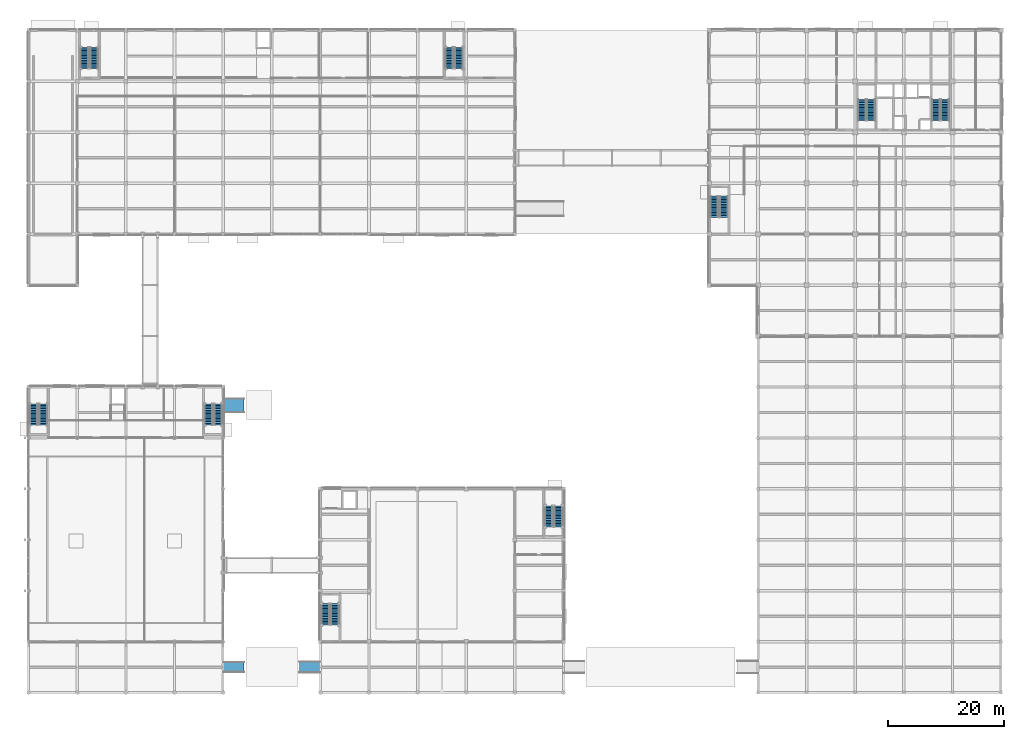
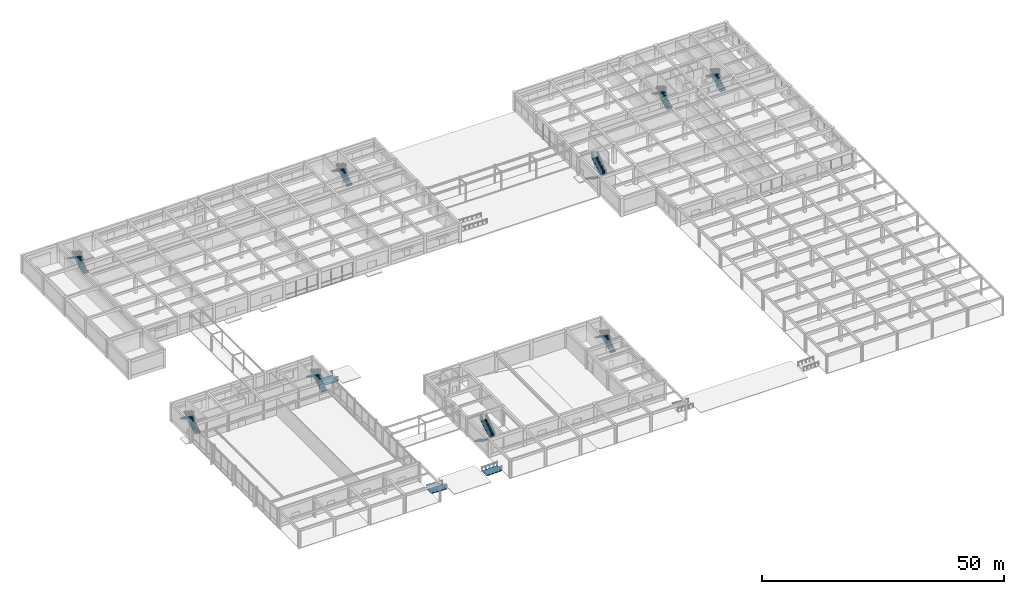
# One storey, part 40 of 58: 18 stair flights, 3 ramp flights, 12 elements without a shape of their own.
"""IFC4 building model written with IfcOpenShell, lengths in metres."""

from ifc_helpers import new_model, si_unit, direction, frame, origin, place, context, subcontext, project, spatial, polyline, outline, extrude, material, layer, layer_set, type_object, element, aggregate, save


model = new_model("IFC4")

# Units and contexts
model_context = context("Model", 3, precision=1e-05, world=origin(), true_north=direction((0.0, 1.0)))
body_context = subcontext(model_context, "Body", "Model", "MODEL_VIEW")
ifc_project = project(units=[si_unit("LENGTHUNIT", "METRE"), si_unit("AREAUNIT", "SQUARE_METRE"), si_unit("VOLUMEUNIT", "CUBIC_METRE"), si_unit("PLANEANGLEUNIT", "RADIAN"), si_unit("MASSUNIT", "GRAM", prefix="KILO")], contexts=[model_context])

# Site, building, storey
site_placement = place(None, origin())
site = spatial("IfcSite", under=ifc_project, at=site_placement, CompositionType="ELEMENT")
building_placement = place(site_placement, origin())
building = spatial("IfcBuilding", under=site, at=building_placement, Name="Kemercrest Conservatory and Botanical Centre", CompositionType="ELEMENT")
storey_placement = place(building_placement, origin())
storey = spatial("IfcBuildingStorey", under=building, at=storey_placement, Name="L00", CompositionType="ELEMENT", Elevation=0.0)

# Stair, stair flights
ifc_material_1 = material(Name="Concrete C40/50", Category="concrete")
stair_type_1 = type_object("IfcStairType", Name="ST-140-48", PredefinedType="HALF_TURN_STAIR", material=ifc_material_1)
stair_1_placement = place(storey_placement, origin())
stair_1 = element("IfcStair", 1, at=stair_1_placement, inside=storey, type_object=stair_type_1, Name="L00 Exit stair ST-V1A", PredefinedType="HALF_TURN_STAIR")
stair_flight_type_1 = type_object("IfcStairFlightType", Name="FL-140-48", PredefinedType="STRAIGHT", material=ifc_material_1)
stair_flight_1_placement = place(storey_placement, frame((10.5400390625, 54.239990234375, 0.0), z_axis=(0.0, 0.0, 1.0), x_axis=(0.0, 1.0, 0.0)))
stair_flight_1 = element("IfcStairFlight", 2, at=stair_flight_1_placement, type_object=stair_flight_type_1, Name="ST-V1A flight 1", NumberOfRisers=14, NumberOfTreads=13, PredefinedType="STRAIGHT", RiserHeight=0.171428571, TreadLength=0.28, context=body_context, shape_type="SweptSolid", body=[
    extrude(outline(polyline([(0.0, 0.0), (0.0, 0.17138671875), (0.280029296875, 0.17138671875), (0.280029296875, 0.3427734375), (0.56005859375, 0.3427734375), (0.56005859375, 0.514404296875), (0.840087890625, 0.514404296875), (0.840087890625, 0.685791015625), (1.1201171875, 0.685791015625), (1.1201171875, 0.857177734375), (1.39990234375, 0.857177734375), (1.39990234375, 1.028564453125), (1.679931640625, 1.028564453125), (1.679931640625, 1.199951171875), (1.9599609375, 1.199951171875), (1.9599609375, 1.371337890625), (2.239990234375, 1.371337890625), (2.239990234375, 1.54296875), (2.52001953125, 1.54296875), (2.52001953125, 1.71435546875), (2.800048828125, 1.71435546875), (2.800048828125, 1.8857421875), (3.080078125, 1.8857421875), (3.080078125, 2.05712890625), (3.360107421875, 2.05712890625), (3.360107421875, 2.228515625), (3.639892578125, 2.228515625), (3.639892578125, 2.39990234375), (3.639892578125, 2.052734375), (0.287109375, 0.0), (0.0, 0.0)])), frame((0.0, 0.699951171875, 0.0), z_axis=(0.0, -1.0, 0.0), x_axis=(1.0, 0.0, 0.0)), (0.0, 0.0, 1.0), 1.39990234375),
])
stair_flight_2_placement = place(storey_placement, frame((8.860107421875, 57.8798828125, 2.39990234375), z_axis=(0.0, 0.0, 1.0), x_axis=(0.0, -1.0, 0.0)))
stair_flight_2 = element("IfcStairFlight", 3, at=stair_flight_2_placement, type_object=stair_flight_type_1, Name="ST-V1A flight 2", NumberOfRisers=14, NumberOfTreads=13, PredefinedType="STRAIGHT", RiserHeight=0.171428571, TreadLength=0.28, context=body_context, shape_type="SweptSolid", body=[
    extrude(outline(polyline([(0.0, 0.0), (0.0, 0.17138671875), (0.280029296875, 0.17138671875), (0.280029296875, 0.3427734375), (0.56005859375, 0.3427734375), (0.56005859375, 0.514404296875), (0.840087890625, 0.514404296875), (0.840087890625, 0.685791015625), (1.1201171875, 0.685791015625), (1.1201171875, 0.857177734375), (1.39990234375, 0.857177734375), (1.39990234375, 1.028564453125), (1.679931640625, 1.028564453125), (1.679931640625, 1.199951171875), (1.9599609375, 1.199951171875), (1.9599609375, 1.371337890625), (2.239990234375, 1.371337890625), (2.239990234375, 1.54296875), (2.52001953125, 1.54296875), (2.52001953125, 1.71435546875), (2.800048828125, 1.71435546875), (2.800048828125, 1.8857421875), (3.080078125, 1.8857421875), (3.080078125, 2.05712890625), (3.360107421875, 2.05712890625), (3.360107421875, 2.228515625), (3.639892578125, 2.228515625), (3.639892578125, 2.39990234375), (3.639892578125, 2.052734375), (0.287109375, 0.0), (0.0, 0.0)])), frame((0.0, 0.699951171875, 0.0), z_axis=(0.0, -1.0, 0.0), x_axis=(1.0, 0.0, 0.0)), (0.0, 0.0, 1.0), 1.39990234375),
])
aggregate(stair_1, [stair_flight_1, stair_flight_2])

stair_2_placement = place(storey_placement, origin())
stair_2 = element("IfcStair", 4, at=stair_2_placement, inside=storey, type_object=stair_type_1, Name="L00 Exit stair ST-V1B", PredefinedType="HALF_TURN_STAIR")
stair_flight_3_placement = place(storey_placement, frame((40.739990234375, 54.239990234375, 0.0), z_axis=(0.0, 0.0, 1.0), x_axis=(0.0, 1.0, 0.0)))
stair_flight_3 = element("IfcStairFlight", 5, at=stair_flight_3_placement, type_object=stair_flight_type_1, Name="ST-V1B flight 1", NumberOfRisers=14, NumberOfTreads=13, PredefinedType="STRAIGHT", RiserHeight=0.171428571, TreadLength=0.28, context=body_context, shape_type="SweptSolid", body=[
    extrude(outline(polyline([(0.0, 0.0), (0.0, 0.17138671875), (0.280029296875, 0.17138671875), (0.280029296875, 0.3427734375), (0.56005859375, 0.3427734375), (0.56005859375, 0.514404296875), (0.840087890625, 0.514404296875), (0.840087890625, 0.685791015625), (1.1201171875, 0.685791015625), (1.1201171875, 0.857177734375), (1.39990234375, 0.857177734375), (1.39990234375, 1.028564453125), (1.679931640625, 1.028564453125), (1.679931640625, 1.199951171875), (1.9599609375, 1.199951171875), (1.9599609375, 1.371337890625), (2.239990234375, 1.371337890625), (2.239990234375, 1.54296875), (2.52001953125, 1.54296875), (2.52001953125, 1.71435546875), (2.800048828125, 1.71435546875), (2.800048828125, 1.8857421875), (3.080078125, 1.8857421875), (3.080078125, 2.05712890625), (3.360107421875, 2.05712890625), (3.360107421875, 2.228515625), (3.639892578125, 2.228515625), (3.639892578125, 2.39990234375), (3.639892578125, 2.052734375), (0.287109375, 0.0), (0.0, 0.0)])), frame((0.0, 0.699951171875, 0.0), z_axis=(0.0, -1.0, 0.0), x_axis=(1.0, 0.0, 0.0)), (0.0, 0.0, 1.0), 1.39990234375),
])
stair_flight_4_placement = place(storey_placement, frame((39.06005859375, 57.8798828125, 2.39990234375), z_axis=(0.0, 0.0, 1.0), x_axis=(0.0, -1.0, 0.0)))
stair_flight_4 = element("IfcStairFlight", 6, at=stair_flight_4_placement, type_object=stair_flight_type_1, Name="ST-V1B flight 2", NumberOfRisers=14, NumberOfTreads=13, PredefinedType="STRAIGHT", RiserHeight=0.171428571, TreadLength=0.28, context=body_context, shape_type="SweptSolid", body=[
    extrude(outline(polyline([(0.0, 0.0), (0.0, 0.17138671875), (0.280029296875, 0.17138671875), (0.280029296875, 0.3427734375), (0.56005859375, 0.3427734375), (0.56005859375, 0.514404296875), (0.840087890625, 0.514404296875), (0.840087890625, 0.685791015625), (1.1201171875, 0.685791015625), (1.1201171875, 0.857177734375), (1.39990234375, 0.857177734375), (1.39990234375, 1.028564453125), (1.679931640625, 1.028564453125), (1.679931640625, 1.199951171875), (1.9599609375, 1.199951171875), (1.9599609375, 1.371337890625), (2.239990234375, 1.371337890625), (2.239990234375, 1.54296875), (2.52001953125, 1.54296875), (2.52001953125, 1.71435546875), (2.800048828125, 1.71435546875), (2.800048828125, 1.8857421875), (3.080078125, 1.8857421875), (3.080078125, 2.05712890625), (3.360107421875, 2.05712890625), (3.360107421875, 2.228515625), (3.639892578125, 2.228515625), (3.639892578125, 2.39990234375), (3.639892578125, 2.052734375), (0.287109375, 0.0), (0.0, 0.0)])), frame((0.0, 0.699951171875, 0.0), z_axis=(0.0, -1.0, 0.0), x_axis=(1.0, 0.0, 0.0)), (0.0, 0.0, 1.0), 1.39990234375),
])
aggregate(stair_2, [stair_flight_3, stair_flight_4])

stair_3_placement = place(storey_placement, origin())
stair_3 = element("IfcStair", 7, at=stair_3_placement, inside=storey, type_object=stair_type_1, Name="L00 Exit stair ST-V2A", PredefinedType="HALF_TURN_STAIR")
stair_flight_5_placement = place(storey_placement, frame((59.260009765625, 23.360107421875, 0.0), z_axis=(0.0, 0.0, 1.0), x_axis=(0.0, -1.0, 0.0)))
stair_flight_5 = element("IfcStairFlight", 8, at=stair_flight_5_placement, type_object=stair_flight_type_1, Name="ST-V2A flight 1", NumberOfRisers=14, NumberOfTreads=13, PredefinedType="STRAIGHT", RiserHeight=0.171428571, TreadLength=0.28, context=body_context, shape_type="SweptSolid", body=[
    extrude(outline(polyline([(0.0, 0.0), (0.0, 0.17138671875), (0.280029296875, 0.17138671875), (0.280029296875, 0.3427734375), (0.56005859375, 0.3427734375), (0.56005859375, 0.514404296875), (0.840087890625, 0.514404296875), (0.840087890625, 0.685791015625), (1.1201171875, 0.685791015625), (1.1201171875, 0.857177734375), (1.39990234375, 0.857177734375), (1.39990234375, 1.028564453125), (1.679931640625, 1.028564453125), (1.679931640625, 1.199951171875), (1.9599609375, 1.199951171875), (1.9599609375, 1.371337890625), (2.239990234375, 1.371337890625), (2.239990234375, 1.54296875), (2.52001953125, 1.54296875), (2.52001953125, 1.71435546875), (2.800048828125, 1.71435546875), (2.800048828125, 1.8857421875), (3.080078125, 1.8857421875), (3.080078125, 2.05712890625), (3.360107421875, 2.05712890625), (3.360107421875, 2.228515625), (3.639892578125, 2.228515625), (3.639892578125, 2.39990234375), (3.639892578125, 2.052734375), (0.287109375, 0.0), (0.0, 0.0)])), frame((0.0, 0.699951171875, 0.0), z_axis=(0.0, -1.0, 0.0), x_axis=(1.0, 0.0, 0.0)), (0.0, 0.0, 1.0), 1.39990234375),
])
stair_flight_6_placement = place(storey_placement, frame((60.93994140625, 19.719970703125, 2.39990234375), z_axis=(0.0, 0.0, 1.0), x_axis=(0.0, 1.0, 0.0)))
stair_flight_6 = element("IfcStairFlight", 9, at=stair_flight_6_placement, type_object=stair_flight_type_1, Name="ST-V2A flight 2", NumberOfRisers=14, NumberOfTreads=13, PredefinedType="STRAIGHT", RiserHeight=0.171428571, TreadLength=0.28, context=body_context, shape_type="SweptSolid", body=[
    extrude(outline(polyline([(0.0, 0.0), (0.0, 0.17138671875), (0.280029296875, 0.17138671875), (0.280029296875, 0.3427734375), (0.56005859375, 0.3427734375), (0.56005859375, 0.514404296875), (0.840087890625, 0.514404296875), (0.840087890625, 0.685791015625), (1.1201171875, 0.685791015625), (1.1201171875, 0.857177734375), (1.39990234375, 0.857177734375), (1.39990234375, 1.028564453125), (1.679931640625, 1.028564453125), (1.679931640625, 1.199951171875), (1.9599609375, 1.199951171875), (1.9599609375, 1.371337890625), (2.239990234375, 1.371337890625), (2.239990234375, 1.54296875), (2.52001953125, 1.54296875), (2.52001953125, 1.71435546875), (2.800048828125, 1.71435546875), (2.800048828125, 1.8857421875), (3.080078125, 1.8857421875), (3.080078125, 2.05712890625), (3.360107421875, 2.05712890625), (3.360107421875, 2.228515625), (3.639892578125, 2.228515625), (3.639892578125, 2.39990234375), (3.639892578125, 2.052734375), (0.287109375, 0.0), (0.0, 0.0)])), frame((0.0, 0.699951171875, 0.0), z_axis=(0.0, -1.0, 0.0), x_axis=(1.0, 0.0, 0.0)), (0.0, 0.0, 1.0), 1.39990234375),
])
aggregate(stair_3, [stair_flight_5, stair_flight_6])

stair_4_placement = place(storey_placement, origin())
stair_4 = element("IfcStair", 10, at=stair_4_placement, inside=storey, type_object=stair_type_1, Name="L00 Exit stair ST-V2B", PredefinedType="HALF_TURN_STAIR")
stair_flight_7_placement = place(storey_placement, frame((99.5400390625, 36.639892578125, 0.0), z_axis=(0.0, 0.0, 1.0), x_axis=(0.0, 1.0, 0.0)))
stair_flight_7 = element("IfcStairFlight", 11, at=stair_flight_7_placement, type_object=stair_flight_type_1, Name="ST-V2B flight 1", NumberOfRisers=14, NumberOfTreads=13, PredefinedType="STRAIGHT", RiserHeight=0.171428571, TreadLength=0.28, context=body_context, shape_type="SweptSolid", body=[
    extrude(outline(polyline([(0.0, 0.0), (0.0, 0.17138671875), (0.280029296875, 0.17138671875), (0.280029296875, 0.3427734375), (0.56005859375, 0.3427734375), (0.56005859375, 0.514404296875), (0.840087890625, 0.514404296875), (0.840087890625, 0.685791015625), (1.1201171875, 0.685791015625), (1.1201171875, 0.857177734375), (1.39990234375, 0.857177734375), (1.39990234375, 1.028564453125), (1.679931640625, 1.028564453125), (1.679931640625, 1.199951171875), (1.9599609375, 1.199951171875), (1.9599609375, 1.371337890625), (2.239990234375, 1.371337890625), (2.239990234375, 1.54296875), (2.52001953125, 1.54296875), (2.52001953125, 1.71435546875), (2.800048828125, 1.71435546875), (2.800048828125, 1.8857421875), (3.080078125, 1.8857421875), (3.080078125, 2.05712890625), (3.360107421875, 2.05712890625), (3.360107421875, 2.228515625), (3.639892578125, 2.228515625), (3.639892578125, 2.39990234375), (3.639892578125, 2.052734375), (0.287109375, 0.0), (0.0, 0.0)])), frame((0.0, 0.699951171875, 0.0), z_axis=(0.0, -1.0, 0.0), x_axis=(1.0, 0.0, 0.0)), (0.0, 0.0, 1.0), 1.39990234375),
])
stair_flight_8_placement = place(storey_placement, frame((97.860107421875, 40.280029296875, 2.39990234375), z_axis=(0.0, 0.0, 1.0), x_axis=(0.0, -1.0, 0.0)))
stair_flight_8 = element("IfcStairFlight", 12, at=stair_flight_8_placement, type_object=stair_flight_type_1, Name="ST-V2B flight 2", NumberOfRisers=14, NumberOfTreads=13, PredefinedType="STRAIGHT", RiserHeight=0.171428571, TreadLength=0.28, context=body_context, shape_type="SweptSolid", body=[
    extrude(outline(polyline([(0.0, 0.0), (0.0, 0.17138671875), (0.280029296875, 0.17138671875), (0.280029296875, 0.3427734375), (0.56005859375, 0.3427734375), (0.56005859375, 0.514404296875), (0.840087890625, 0.514404296875), (0.840087890625, 0.685791015625), (1.1201171875, 0.685791015625), (1.1201171875, 0.857177734375), (1.39990234375, 0.857177734375), (1.39990234375, 1.028564453125), (1.679931640625, 1.028564453125), (1.679931640625, 1.199951171875), (1.9599609375, 1.199951171875), (1.9599609375, 1.371337890625), (2.239990234375, 1.371337890625), (2.239990234375, 1.54296875), (2.52001953125, 1.54296875), (2.52001953125, 1.71435546875), (2.800048828125, 1.71435546875), (2.800048828125, 1.8857421875), (3.080078125, 1.8857421875), (3.080078125, 2.05712890625), (3.360107421875, 2.05712890625), (3.360107421875, 2.228515625), (3.639892578125, 2.228515625), (3.639892578125, 2.39990234375), (3.639892578125, 2.052734375), (0.287109375, 0.0), (0.0, 0.0)])), frame((0.0, 0.699951171875, 0.0), z_axis=(0.0, -1.0, 0.0), x_axis=(1.0, 0.0, 0.0)), (0.0, 0.0, 1.0), 1.39990234375),
])
aggregate(stair_4, [stair_flight_7, stair_flight_8])

stair_5_placement = place(storey_placement, origin())
stair_5 = element("IfcStair", 13, at=stair_5_placement, inside=storey, type_object=stair_type_1, Name="L00 Exit stair ST-V3A", PredefinedType="HALF_TURN_STAIR")
stair_flight_9_placement = place(storey_placement, frame((19.340087890625, 115.840087890625, 0.0), z_axis=(0.0, 0.0, 1.0), x_axis=(0.0, 1.0, 0.0)))
stair_flight_9 = element("IfcStairFlight", 14, at=stair_flight_9_placement, type_object=stair_flight_type_1, Name="ST-V3A flight 1", NumberOfRisers=14, NumberOfTreads=13, PredefinedType="STRAIGHT", RiserHeight=0.171428571, TreadLength=0.28, context=body_context, shape_type="SweptSolid", body=[
    extrude(outline(polyline([(0.0, 0.0), (0.0, 0.17138671875), (0.280029296875, 0.17138671875), (0.280029296875, 0.3427734375), (0.56005859375, 0.3427734375), (0.56005859375, 0.514404296875), (0.840087890625, 0.514404296875), (0.840087890625, 0.685791015625), (1.1201171875, 0.685791015625), (1.1201171875, 0.857177734375), (1.39990234375, 0.857177734375), (1.39990234375, 1.028564453125), (1.679931640625, 1.028564453125), (1.679931640625, 1.199951171875), (1.9599609375, 1.199951171875), (1.9599609375, 1.371337890625), (2.239990234375, 1.371337890625), (2.239990234375, 1.54296875), (2.52001953125, 1.54296875), (2.52001953125, 1.71435546875), (2.800048828125, 1.71435546875), (2.800048828125, 1.8857421875), (3.080078125, 1.8857421875), (3.080078125, 2.05712890625), (3.360107421875, 2.05712890625), (3.360107421875, 2.228515625), (3.639892578125, 2.228515625), (3.639892578125, 2.39990234375), (3.639892578125, 2.052734375), (0.287109375, 0.0), (0.0, 0.0)])), frame((0.0, 0.699951171875, 0.0), z_axis=(0.0, -1.0, 0.0), x_axis=(1.0, 0.0, 0.0)), (0.0, 0.0, 1.0), 1.39990234375),
])
stair_flight_10_placement = place(storey_placement, frame((17.659912109375, 119.47998046875, 2.39990234375), z_axis=(0.0, 0.0, 1.0), x_axis=(0.0, -1.0, 0.0)))
stair_flight_10 = element("IfcStairFlight", 15, at=stair_flight_10_placement, type_object=stair_flight_type_1, Name="ST-V3A flight 2", NumberOfRisers=14, NumberOfTreads=13, PredefinedType="STRAIGHT", RiserHeight=0.171428571, TreadLength=0.28, context=body_context, shape_type="SweptSolid", body=[
    extrude(outline(polyline([(0.0, 0.0), (0.0, 0.17138671875), (0.280029296875, 0.17138671875), (0.280029296875, 0.3427734375), (0.56005859375, 0.3427734375), (0.56005859375, 0.514404296875), (0.840087890625, 0.514404296875), (0.840087890625, 0.685791015625), (1.1201171875, 0.685791015625), (1.1201171875, 0.857177734375), (1.39990234375, 0.857177734375), (1.39990234375, 1.028564453125), (1.679931640625, 1.028564453125), (1.679931640625, 1.199951171875), (1.9599609375, 1.199951171875), (1.9599609375, 1.371337890625), (2.239990234375, 1.371337890625), (2.239990234375, 1.54296875), (2.52001953125, 1.54296875), (2.52001953125, 1.71435546875), (2.800048828125, 1.71435546875), (2.800048828125, 1.8857421875), (3.080078125, 1.8857421875), (3.080078125, 2.05712890625), (3.360107421875, 2.05712890625), (3.360107421875, 2.228515625), (3.639892578125, 2.228515625), (3.639892578125, 2.39990234375), (3.639892578125, 2.052734375), (0.287109375, 0.0), (0.0, 0.0)])), frame((0.0, 0.699951171875, 0.0), z_axis=(0.0, -1.0, 0.0), x_axis=(1.0, 0.0, 0.0)), (0.0, 0.0, 1.0), 1.39990234375),
])
aggregate(stair_5, [stair_flight_9, stair_flight_10])

stair_6_placement = place(storey_placement, origin())
stair_6 = element("IfcStair", 16, at=stair_6_placement, inside=storey, type_object=stair_type_1, Name="L00 Exit stair ST-V3B", PredefinedType="HALF_TURN_STAIR")
stair_flight_11_placement = place(storey_placement, frame((82.340087890625, 115.840087890625, 0.0), z_axis=(0.0, 0.0, 1.0), x_axis=(0.0, 1.0, 0.0)))
stair_flight_11 = element("IfcStairFlight", 17, at=stair_flight_11_placement, type_object=stair_flight_type_1, Name="ST-V3B flight 1", NumberOfRisers=14, NumberOfTreads=13, PredefinedType="STRAIGHT", RiserHeight=0.171428571, TreadLength=0.28, context=body_context, shape_type="SweptSolid", body=[
    extrude(outline(polyline([(0.0, 0.0), (0.0, 0.17138671875), (0.280029296875, 0.17138671875), (0.280029296875, 0.3427734375), (0.56005859375, 0.3427734375), (0.56005859375, 0.514404296875), (0.840087890625, 0.514404296875), (0.840087890625, 0.685791015625), (1.1201171875, 0.685791015625), (1.1201171875, 0.857177734375), (1.39990234375, 0.857177734375), (1.39990234375, 1.028564453125), (1.679931640625, 1.028564453125), (1.679931640625, 1.199951171875), (1.9599609375, 1.199951171875), (1.9599609375, 1.371337890625), (2.239990234375, 1.371337890625), (2.239990234375, 1.54296875), (2.52001953125, 1.54296875), (2.52001953125, 1.71435546875), (2.800048828125, 1.71435546875), (2.800048828125, 1.8857421875), (3.080078125, 1.8857421875), (3.080078125, 2.05712890625), (3.360107421875, 2.05712890625), (3.360107421875, 2.228515625), (3.639892578125, 2.228515625), (3.639892578125, 2.39990234375), (3.639892578125, 2.052734375), (0.287109375, 0.0), (0.0, 0.0)])), frame((0.0, 0.699951171875, 0.0), z_axis=(0.0, -1.0, 0.0), x_axis=(1.0, 0.0, 0.0)), (0.0, 0.0, 1.0), 1.39990234375),
])
stair_flight_12_placement = place(storey_placement, frame((80.659912109375, 119.47998046875, 2.39990234375), z_axis=(0.0, 0.0, 1.0), x_axis=(0.0, -1.0, 0.0)))
stair_flight_12 = element("IfcStairFlight", 18, at=stair_flight_12_placement, type_object=stair_flight_type_1, Name="ST-V3B flight 2", NumberOfRisers=14, NumberOfTreads=13, PredefinedType="STRAIGHT", RiserHeight=0.171428571, TreadLength=0.28, context=body_context, shape_type="SweptSolid", body=[
    extrude(outline(polyline([(0.0, 0.0), (0.0, 0.17138671875), (0.280029296875, 0.17138671875), (0.280029296875, 0.3427734375), (0.56005859375, 0.3427734375), (0.56005859375, 0.514404296875), (0.840087890625, 0.514404296875), (0.840087890625, 0.685791015625), (1.1201171875, 0.685791015625), (1.1201171875, 0.857177734375), (1.39990234375, 0.857177734375), (1.39990234375, 1.028564453125), (1.679931640625, 1.028564453125), (1.679931640625, 1.199951171875), (1.9599609375, 1.199951171875), (1.9599609375, 1.371337890625), (2.239990234375, 1.371337890625), (2.239990234375, 1.54296875), (2.52001953125, 1.54296875), (2.52001953125, 1.71435546875), (2.800048828125, 1.71435546875), (2.800048828125, 1.8857421875), (3.080078125, 1.8857421875), (3.080078125, 2.05712890625), (3.360107421875, 2.05712890625), (3.360107421875, 2.228515625), (3.639892578125, 2.228515625), (3.639892578125, 2.39990234375), (3.639892578125, 2.052734375), (0.287109375, 0.0), (0.0, 0.0)])), frame((0.0, 0.699951171875, 0.0), z_axis=(0.0, -1.0, 0.0), x_axis=(1.0, 0.0, 0.0)), (0.0, 0.0, 1.0), 1.39990234375),
])
aggregate(stair_6, [stair_flight_11, stair_flight_12])

stair_7_placement = place(storey_placement, origin())
stair_7 = element("IfcStair", 19, at=stair_7_placement, inside=storey, type_object=stair_type_1, Name="L00 Exit stair ST-V4C", PredefinedType="HALF_TURN_STAIR")
stair_flight_13_placement = place(storey_placement, frame((126.4599609375, 93.760009765625, 0.0), z_axis=(0.0, 0.0, 1.0), x_axis=(0.0, -1.0, 0.0)))
stair_flight_13 = element("IfcStairFlight", 20, at=stair_flight_13_placement, type_object=stair_flight_type_1, Name="ST-V4C flight 1", NumberOfRisers=14, NumberOfTreads=13, PredefinedType="STRAIGHT", RiserHeight=0.171428571, TreadLength=0.28, context=body_context, shape_type="SweptSolid", body=[
    extrude(outline(polyline([(0.0, 0.0), (0.0, 0.17138671875), (0.280029296875, 0.17138671875), (0.280029296875, 0.3427734375), (0.56005859375, 0.3427734375), (0.56005859375, 0.514404296875), (0.840087890625, 0.514404296875), (0.840087890625, 0.685791015625), (1.1201171875, 0.685791015625), (1.1201171875, 0.857177734375), (1.39990234375, 0.857177734375), (1.39990234375, 1.028564453125), (1.679931640625, 1.028564453125), (1.679931640625, 1.199951171875), (1.9599609375, 1.199951171875), (1.9599609375, 1.371337890625), (2.239990234375, 1.371337890625), (2.239990234375, 1.54296875), (2.52001953125, 1.54296875), (2.52001953125, 1.71435546875), (2.800048828125, 1.71435546875), (2.800048828125, 1.8857421875), (3.080078125, 1.8857421875), (3.080078125, 2.05712890625), (3.360107421875, 2.05712890625), (3.360107421875, 2.228515625), (3.639892578125, 2.228515625), (3.639892578125, 2.39990234375), (3.639892578125, 2.052734375), (0.287109375, 0.0), (0.0, 0.0)])), frame((0.0, 0.699951171875, 0.0), z_axis=(0.0, -1.0, 0.0), x_axis=(1.0, 0.0, 0.0)), (0.0, 0.0, 1.0), 1.39990234375),
])
stair_flight_14_placement = place(storey_placement, frame((128.139892578125, 90.1201171875, 2.39990234375), z_axis=(0.0, 0.0, 1.0), x_axis=(0.0, 1.0, 0.0)))
stair_flight_14 = element("IfcStairFlight", 21, at=stair_flight_14_placement, type_object=stair_flight_type_1, Name="ST-V4C flight 2", NumberOfRisers=14, NumberOfTreads=13, PredefinedType="STRAIGHT", RiserHeight=0.171428571, TreadLength=0.28, context=body_context, shape_type="SweptSolid", body=[
    extrude(outline(polyline([(0.0, 0.0), (0.0, 0.17138671875), (0.280029296875, 0.17138671875), (0.280029296875, 0.3427734375), (0.56005859375, 0.3427734375), (0.56005859375, 0.514404296875), (0.840087890625, 0.514404296875), (0.840087890625, 0.685791015625), (1.1201171875, 0.685791015625), (1.1201171875, 0.857177734375), (1.39990234375, 0.857177734375), (1.39990234375, 1.028564453125), (1.679931640625, 1.028564453125), (1.679931640625, 1.199951171875), (1.9599609375, 1.199951171875), (1.9599609375, 1.371337890625), (2.239990234375, 1.371337890625), (2.239990234375, 1.54296875), (2.52001953125, 1.54296875), (2.52001953125, 1.71435546875), (2.800048828125, 1.71435546875), (2.800048828125, 1.8857421875), (3.080078125, 1.8857421875), (3.080078125, 2.05712890625), (3.360107421875, 2.05712890625), (3.360107421875, 2.228515625), (3.639892578125, 2.228515625), (3.639892578125, 2.39990234375), (3.639892578125, 2.052734375), (0.287109375, 0.0), (0.0, 0.0)])), frame((0.0, 0.699951171875, 0.0), z_axis=(0.0, -1.0, 0.0), x_axis=(1.0, 0.0, 0.0)), (0.0, 0.0, 1.0), 1.39990234375),
])
aggregate(stair_7, [stair_flight_13, stair_flight_14])

stair_type_2 = type_object("IfcStairType", Name="ST-142-48", PredefinedType="HALF_TURN_STAIR", material=ifc_material_1)
stair_8_placement = place(storey_placement, origin())
stair_8 = element("IfcStair", 22, at=stair_8_placement, inside=storey, type_object=stair_type_2, Name="L00 Exit stair ST-V4A", PredefinedType="HALF_TURN_STAIR")
stair_flight_type_2 = type_object("IfcStairFlightType", Name="FL-142-48", PredefinedType="STRAIGHT", material=ifc_material_1)
stair_flight_15_placement = place(storey_placement, frame((153.530029296875, 106.840087890625, 0.0), z_axis=(0.0, 0.0, 1.0), x_axis=(0.0, 1.0, 0.0)))
stair_flight_15 = element("IfcStairFlight", 23, at=stair_flight_15_placement, type_object=stair_flight_type_2, Name="ST-V4A flight 1", NumberOfRisers=14, NumberOfTreads=13, PredefinedType="STRAIGHT", RiserHeight=0.171428571, TreadLength=0.28, context=body_context, shape_type="SweptSolid", body=[
    extrude(outline(polyline([(0.0, 0.0), (0.0, 0.17138671875), (0.280029296875, 0.17138671875), (0.280029296875, 0.3427734375), (0.56005859375, 0.3427734375), (0.56005859375, 0.514404296875), (0.840087890625, 0.514404296875), (0.840087890625, 0.685791015625), (1.1201171875, 0.685791015625), (1.1201171875, 0.857177734375), (1.39990234375, 0.857177734375), (1.39990234375, 1.028564453125), (1.679931640625, 1.028564453125), (1.679931640625, 1.199951171875), (1.9599609375, 1.199951171875), (1.9599609375, 1.371337890625), (2.239990234375, 1.371337890625), (2.239990234375, 1.54296875), (2.52001953125, 1.54296875), (2.52001953125, 1.71435546875), (2.800048828125, 1.71435546875), (2.800048828125, 1.8857421875), (3.080078125, 1.8857421875), (3.080078125, 2.05712890625), (3.360107421875, 2.05712890625), (3.360107421875, 2.228515625), (3.639892578125, 2.228515625), (3.639892578125, 2.39990234375), (3.639892578125, 2.052734375), (0.287109375, 0.0), (0.0, 0.0)])), frame((0.0, 0.7099609375, 0.0), z_axis=(0.0, -1.0, 0.0), x_axis=(1.0, 0.0, 0.0)), (0.0, 0.0, 1.0), 1.419921875),
])
stair_flight_16_placement = place(storey_placement, frame((151.969970703125, 110.47998046875, 2.39990234375), z_axis=(0.0, 0.0, 1.0), x_axis=(0.0, -1.0, 0.0)))
stair_flight_16 = element("IfcStairFlight", 24, at=stair_flight_16_placement, type_object=stair_flight_type_2, Name="ST-V4A flight 2", NumberOfRisers=14, NumberOfTreads=13, PredefinedType="STRAIGHT", RiserHeight=0.171428571, TreadLength=0.28, context=body_context, shape_type="SweptSolid", body=[
    extrude(outline(polyline([(0.0, 0.0), (0.0, 0.17138671875), (0.280029296875, 0.17138671875), (0.280029296875, 0.3427734375), (0.56005859375, 0.3427734375), (0.56005859375, 0.514404296875), (0.840087890625, 0.514404296875), (0.840087890625, 0.685791015625), (1.1201171875, 0.685791015625), (1.1201171875, 0.857177734375), (1.39990234375, 0.857177734375), (1.39990234375, 1.028564453125), (1.679931640625, 1.028564453125), (1.679931640625, 1.199951171875), (1.9599609375, 1.199951171875), (1.9599609375, 1.371337890625), (2.239990234375, 1.371337890625), (2.239990234375, 1.54296875), (2.52001953125, 1.54296875), (2.52001953125, 1.71435546875), (2.800048828125, 1.71435546875), (2.800048828125, 1.8857421875), (3.080078125, 1.8857421875), (3.080078125, 2.05712890625), (3.360107421875, 2.05712890625), (3.360107421875, 2.228515625), (3.639892578125, 2.228515625), (3.639892578125, 2.39990234375), (3.639892578125, 2.052734375), (0.287109375, 0.0), (0.0, 0.0)])), frame((0.0, 0.7099609375, 0.0), z_axis=(0.0, -1.0, 0.0), x_axis=(1.0, 0.0, 0.0)), (0.0, 0.0, 1.0), 1.419921875),
])
aggregate(stair_8, [stair_flight_15, stair_flight_16])

stair_9_placement = place(storey_placement, origin())
stair_9 = element("IfcStair", 25, at=stair_9_placement, inside=storey, type_object=stair_type_2, Name="L00 Exit stair ST-V4B", PredefinedType="HALF_TURN_STAIR")
stair_flight_17_placement = place(storey_placement, frame((166.330078125, 106.840087890625, 0.0), z_axis=(0.0, 0.0, 1.0), x_axis=(0.0, 1.0, 0.0)))
stair_flight_17 = element("IfcStairFlight", 26, at=stair_flight_17_placement, type_object=stair_flight_type_2, Name="ST-V4B flight 1", NumberOfRisers=14, NumberOfTreads=13, PredefinedType="STRAIGHT", RiserHeight=0.171428571, TreadLength=0.28, context=body_context, shape_type="SweptSolid", body=[
    extrude(outline(polyline([(0.0, 0.0), (0.0, 0.17138671875), (0.280029296875, 0.17138671875), (0.280029296875, 0.3427734375), (0.56005859375, 0.3427734375), (0.56005859375, 0.514404296875), (0.840087890625, 0.514404296875), (0.840087890625, 0.685791015625), (1.1201171875, 0.685791015625), (1.1201171875, 0.857177734375), (1.39990234375, 0.857177734375), (1.39990234375, 1.028564453125), (1.679931640625, 1.028564453125), (1.679931640625, 1.199951171875), (1.9599609375, 1.199951171875), (1.9599609375, 1.371337890625), (2.239990234375, 1.371337890625), (2.239990234375, 1.54296875), (2.52001953125, 1.54296875), (2.52001953125, 1.71435546875), (2.800048828125, 1.71435546875), (2.800048828125, 1.8857421875), (3.080078125, 1.8857421875), (3.080078125, 2.05712890625), (3.360107421875, 2.05712890625), (3.360107421875, 2.228515625), (3.639892578125, 2.228515625), (3.639892578125, 2.39990234375), (3.639892578125, 2.052734375), (0.287109375, 0.0), (0.0, 0.0)])), frame((0.0, 0.7099609375, 0.0), z_axis=(0.0, -1.0, 0.0), x_axis=(1.0, 0.0, 0.0)), (0.0, 0.0, 1.0), 1.419921875),
])
stair_flight_18_placement = place(storey_placement, frame((164.77001953125, 110.47998046875, 2.39990234375), z_axis=(0.0, 0.0, 1.0), x_axis=(0.0, -1.0, 0.0)))
stair_flight_18 = element("IfcStairFlight", 27, at=stair_flight_18_placement, type_object=stair_flight_type_2, Name="ST-V4B flight 2", NumberOfRisers=14, NumberOfTreads=13, PredefinedType="STRAIGHT", RiserHeight=0.171428571, TreadLength=0.28, context=body_context, shape_type="SweptSolid", body=[
    extrude(outline(polyline([(0.0, 0.0), (0.0, 0.17138671875), (0.280029296875, 0.17138671875), (0.280029296875, 0.3427734375), (0.56005859375, 0.3427734375), (0.56005859375, 0.514404296875), (0.840087890625, 0.514404296875), (0.840087890625, 0.685791015625), (1.1201171875, 0.685791015625), (1.1201171875, 0.857177734375), (1.39990234375, 0.857177734375), (1.39990234375, 1.028564453125), (1.679931640625, 1.028564453125), (1.679931640625, 1.199951171875), (1.9599609375, 1.199951171875), (1.9599609375, 1.371337890625), (2.239990234375, 1.371337890625), (2.239990234375, 1.54296875), (2.52001953125, 1.54296875), (2.52001953125, 1.71435546875), (2.800048828125, 1.71435546875), (2.800048828125, 1.8857421875), (3.080078125, 1.8857421875), (3.080078125, 2.05712890625), (3.360107421875, 2.05712890625), (3.360107421875, 2.228515625), (3.639892578125, 2.228515625), (3.639892578125, 2.39990234375), (3.639892578125, 2.052734375), (0.287109375, 0.0), (0.0, 0.0)])), frame((0.0, 0.7099609375, 0.0), z_axis=(0.0, -1.0, 0.0), x_axis=(1.0, 0.0, 0.0)), (0.0, 0.0, 1.0), 1.419921875),
])
aggregate(stair_9, [stair_flight_17, stair_flight_18])

# Ramp, ramp flight
ifc_material_2 = material(Name="Precast concrete C40/50", Category="concrete")
ramp_type_1 = type_object("IfcRampType", Name="RM-ACC01", PredefinedType="USERDEFINED", material=ifc_material_2)
ramp_1_placement = place(storey_placement, origin())
ramp_1 = element("IfcRamp", 28, at=ramp_1_placement, inside=storey, type_object=ramp_type_1, Name="Accessible promenade ramp AR-01", ObjectType="ACCESSIBLE RAMP", PredefinedType="USERDEFINED")
ifc_layer_1 = layer(ifc_material_2, 0.219970703125)
ifc_layer_set_1 = layer_set([ifc_layer_1], Name="Precast concrete C40/50")
ramp_flight_type_1 = type_object("IfcRampFlightType", Name="RF-ACC01", PredefinedType="STRAIGHT", material=ifc_layer_set_1)
ramp_flight_1_placement = place(storey_placement, frame((45.199951171875, 12.39990234375, -0.10009765625), z_axis=(0.0, 0.0, 1.0), x_axis=(-1.0, 0.0, 0.0)))
ramp_flight_1 = element("IfcRampFlight", 29, at=ramp_flight_1_placement, type_object=ramp_flight_type_1, Name="Accessible promenade ramp AR-01 flight", PredefinedType="STRAIGHT", context=body_context, shape_type="SweptSolid", body=[
    extrude(outline(polyline([(0.0, 0.0), (3.599853515625, 0.10009765625), (3.599853515625, -0.119873046875), (0.0, -0.219970703125), (0.0, 0.0)])), frame((0.0, 0.89990234375, 0.0), z_axis=(0.0, -1.0, 0.0), x_axis=(1.0, 0.0, 0.0)), (0.0, 0.0, 1.0), 1.800048828125),
])
aggregate(ramp_1, [ramp_flight_1])

ramp_type_2 = type_object("IfcRampType", Name="RM-ACC02", PredefinedType="USERDEFINED", material=ifc_material_2)
ramp_2_placement = place(storey_placement, origin())
ramp_2 = element("IfcRamp", 30, at=ramp_2_placement, inside=storey, type_object=ramp_type_2, Name="Accessible promenade ramp AR-02", ObjectType="ACCESSIBLE RAMP", PredefinedType="USERDEFINED")
ifc_layer_2 = layer(ifc_material_2, 0.219970703125)
ifc_layer_set_2 = layer_set([ifc_layer_2], Name="Precast concrete C40/50")
ramp_flight_type_2 = type_object("IfcRampFlightType", Name="RF-ACC02", PredefinedType="STRAIGHT", material=ifc_layer_set_2)
ramp_flight_2_placement = place(storey_placement, frame((54.800048828125, 12.39990234375, -0.10009765625), z_axis=(0.0, 0.0, 1.0), x_axis=(1.0, 0.0, 0.0)))
ramp_flight_2 = element("IfcRampFlight", 31, at=ramp_flight_2_placement, type_object=ramp_flight_type_2, Name="Accessible promenade ramp AR-02 flight", PredefinedType="STRAIGHT", context=body_context, shape_type="SweptSolid", body=[
    extrude(outline(polyline([(0.0, 0.0), (3.599853515625, 0.10009765625), (3.599853515625, -0.119873046875), (0.0, -0.219970703125), (0.0, 0.0)])), frame((0.0, 0.97509765625, 0.0), z_axis=(0.0, -1.0, 0.0), x_axis=(1.0, 0.0, 0.0)), (0.0, 0.0, 1.0), 1.949951171875),
])
aggregate(ramp_2, [ramp_flight_2])

ramp_type_3 = type_object("IfcRampType", Name="RM-ACC05", PredefinedType="USERDEFINED", material=ifc_material_2)
ramp_3_placement = place(storey_placement, origin())
ramp_3 = element("IfcRamp", 32, at=ramp_3_placement, inside=storey, type_object=ramp_type_3, Name="Accessible promenade ramp AR-05", ObjectType="ACCESSIBLE RAMP", PredefinedType="USERDEFINED")
ifc_layer_3 = layer(ifc_material_2, 0.219970703125)
ifc_layer_set_3 = layer_set([ifc_layer_3], Name="Precast concrete C40/50")
ramp_flight_type_3 = type_object("IfcRampFlightType", Name="RF-ACC05", PredefinedType="STRAIGHT", material=ifc_layer_set_3)
ramp_flight_3_placement = place(storey_placement, frame((45.199951171875, 57.60009765625, -0.10009765625), z_axis=(0.0, 0.0, 1.0), x_axis=(-1.0, 0.0, 0.0)))
ramp_flight_3 = element("IfcRampFlight", 33, at=ramp_flight_3_placement, type_object=ramp_flight_type_3, Name="Accessible promenade ramp AR-05 flight", PredefinedType="STRAIGHT", context=body_context, shape_type="SweptSolid", body=[
    extrude(outline(polyline([(0.0, 0.0), (3.599853515625, 0.10009765625), (3.599853515625, -0.119873046875), (0.0, -0.219970703125), (0.0, 0.0)])), frame((0.0, 1.199951171875, 0.0), z_axis=(0.0, -1.0, 0.0), x_axis=(1.0, 0.0, 0.0)), (0.0, 0.0, 1.0), 2.39990234375),
])
aggregate(ramp_3, [ramp_flight_3])

save(model, "model.ifc")
